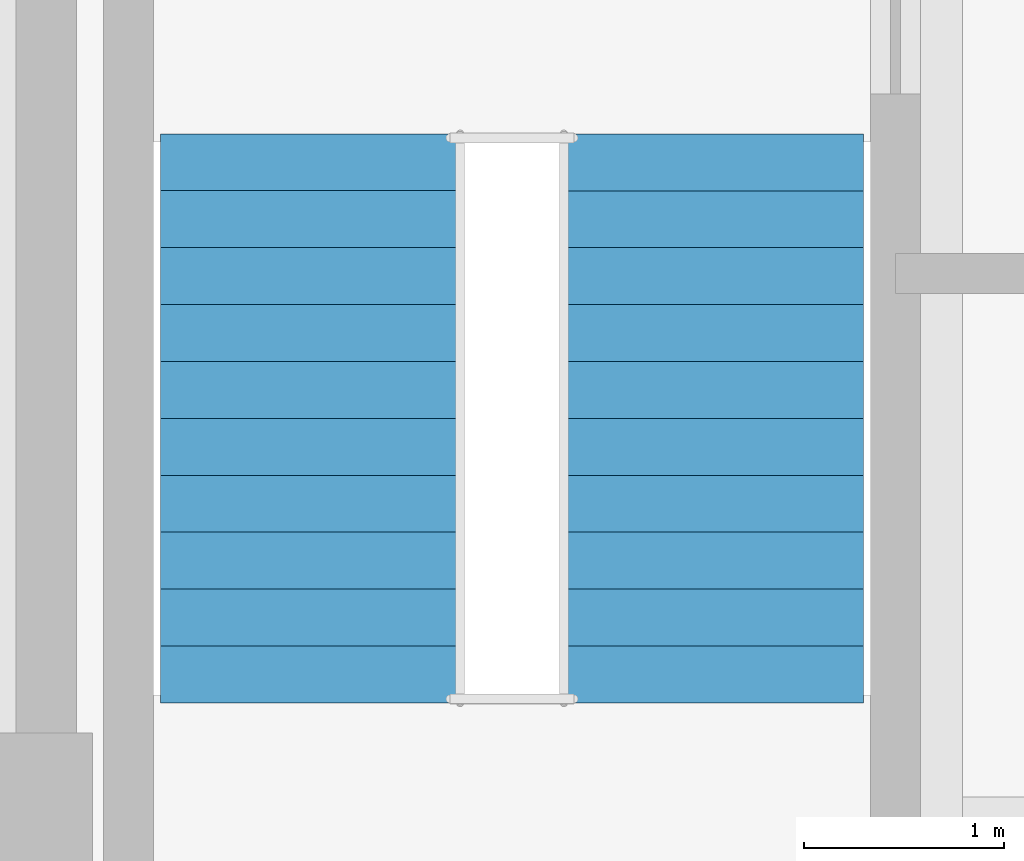
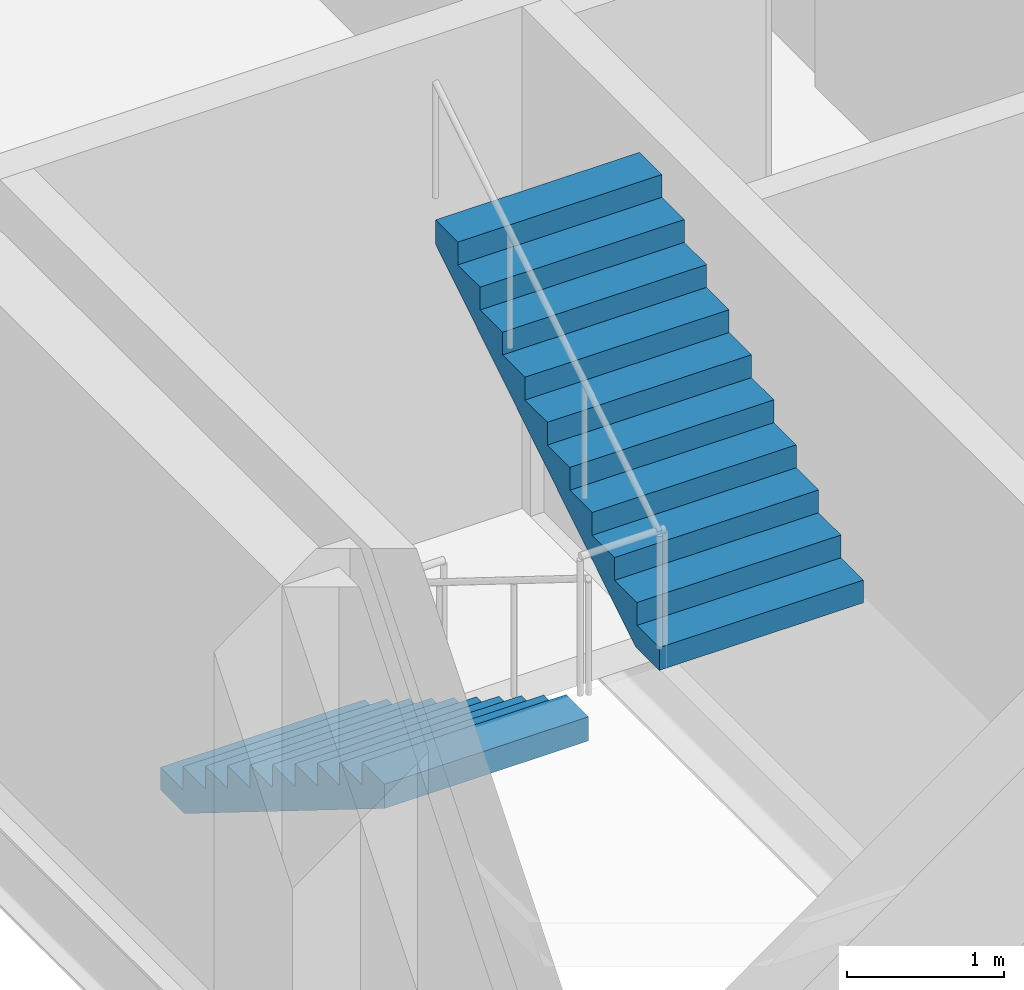
# One storey, part 6 of 7: 2 stair flights, 1 element without a shape of its own.
"""IFC4 building model written with IfcOpenShell, lengths in metres."""

from ifc_helpers import new_model, si_unit, direction, frame, origin, place, context, subcontext, project, spatial, polyline, outline, extrude, material, type_object, element, aggregate, save


model = new_model("IFC4")

# Units and contexts
model_context = context("Model", 3, precision=1e-05, world=origin(), true_north=direction((0.0, 1.0)))
body_context = subcontext(model_context, "Body", "Model", "MODEL_VIEW")
ifc_project = project(units=[si_unit("LENGTHUNIT", "METRE"), si_unit("AREAUNIT", "SQUARE_METRE"), si_unit("VOLUMEUNIT", "CUBIC_METRE"), si_unit("PLANEANGLEUNIT", "RADIAN"), si_unit("MASSUNIT", "GRAM", prefix="KILO")], contexts=[model_context])

# Site, building, storey
site_placement = place(None, origin())
site = spatial("IfcSite", under=ifc_project, at=site_placement, CompositionType="ELEMENT")
building_placement = place(site_placement, origin())
building = spatial("IfcBuilding", under=site, at=building_placement, Name="Mawjdan Bourse Tower", CompositionType="ELEMENT")
storey_placement = place(building_placement, frame((0.0, 0.0, 147.89990234375)))
storey = spatial("IfcBuildingStorey", under=building, at=storey_placement, Name="L35", CompositionType="ELEMENT", Elevation=147.89990234375)

# Stair, stair flights
ifc_material = material(Name="Concrete C50/60", Category="concrete")
stair_type = type_object("IfcStairType", Name="STR-CORE-1500", PredefinedType="HALF_TURN_STAIR", material=ifc_material)
stair_placement = place(storey_placement, origin())
stair = element("IfcStair", 1, at=stair_placement, inside=storey, type_object=stair_type, Name="L35 Exit Stair 3 (North Wing)", PredefinedType="HALF_TURN_STAIR")
stair_flight_type = type_object("IfcStairFlightType", Name="SFL-RC-1500", PredefinedType="STRAIGHT", material=ifc_material)
stair_flight_1_placement = place(storey_placement, frame((7.590087890625, 27.5, 0.0), z_axis=(0.0, 0.0, 1.0), x_axis=(0.0, -1.0, 0.0)))
stair_flight_1 = element("IfcStairFlight", 2, at=stair_flight_1_placement, type_object=stair_flight_type, Name="ST3-L35 flight 1", NumberOfRisers=11, NumberOfTreads=10, PredefinedType="STRAIGHT", RiserHeight=0.177273, TreadLength=0.285, context=body_context, shape_type="SweptSolid", body=[
    extrude(outline(polyline([(0.0, 0.0), (0.0, 0.17724609375), (0.284912109375, 0.17724609375), (0.284912109375, 0.3544921875), (0.570068359375, 0.3544921875), (0.570068359375, 0.53173828125), (0.85498046875, 0.53173828125), (0.85498046875, 0.708984375), (1.139892578125, 0.708984375), (1.139892578125, 0.886474609375), (1.425048828125, 0.886474609375), (1.425048828125, 1.063720703125), (1.7099609375, 1.063720703125), (1.7099609375, 1.240966796875), (1.9951171875, 1.240966796875), (1.9951171875, 1.418212890625), (2.280029296875, 1.418212890625), (2.280029296875, 1.595458984375), (2.56494140625, 1.595458984375), (2.56494140625, 1.772705078125), (2.85009765625, 1.772705078125), (2.85009765625, 1.949951171875), (2.85009765625, 1.58447265625), (0.302734375, 0.0), (0.0, 0.0)])), frame((0.0, 0.75, 0.0), z_axis=(0.0, -1.0, 0.0), x_axis=(1.0, 0.0, 0.0)), (0.0, 0.0, 1.0), 1.5),
])
stair_flight_2_placement = place(storey_placement, frame((9.610107421875, 24.64990234375, 1.9501953125), z_axis=(0.0, 0.0, 1.0), x_axis=(0.0, 1.0, 0.0)))
stair_flight_2 = element("IfcStairFlight", 3, at=stair_flight_2_placement, type_object=stair_flight_type, Name="ST3-L35 flight 2", NumberOfRisers=11, NumberOfTreads=10, PredefinedType="STRAIGHT", RiserHeight=0.177273, TreadLength=0.285, context=body_context, shape_type="SweptSolid", body=[
    extrude(outline(polyline([(0.0, 0.0), (0.0, 0.17724609375), (0.284912109375, 0.17724609375), (0.284912109375, 0.3544921875), (0.570068359375, 0.3544921875), (0.570068359375, 0.53173828125), (0.85498046875, 0.53173828125), (0.85498046875, 0.708984375), (1.139892578125, 0.708984375), (1.139892578125, 0.886474609375), (1.425048828125, 0.886474609375), (1.425048828125, 1.063720703125), (1.7099609375, 1.063720703125), (1.7099609375, 1.240966796875), (1.9951171875, 1.240966796875), (1.9951171875, 1.418212890625), (2.280029296875, 1.418212890625), (2.280029296875, 1.595458984375), (2.56494140625, 1.595458984375), (2.56494140625, 1.772705078125), (2.85009765625, 1.772705078125), (2.85009765625, 1.949951171875), (2.85009765625, 1.58447265625), (0.302734375, 0.0), (0.0, 0.0)])), frame((0.0, 0.75, 0.0), z_axis=(0.0, -1.0, 0.0), x_axis=(1.0, 0.0, 0.0)), (0.0, 0.0, 1.0), 1.5),
])
aggregate(stair, [stair_flight_1, stair_flight_2])

save(model, "model.ifc")
